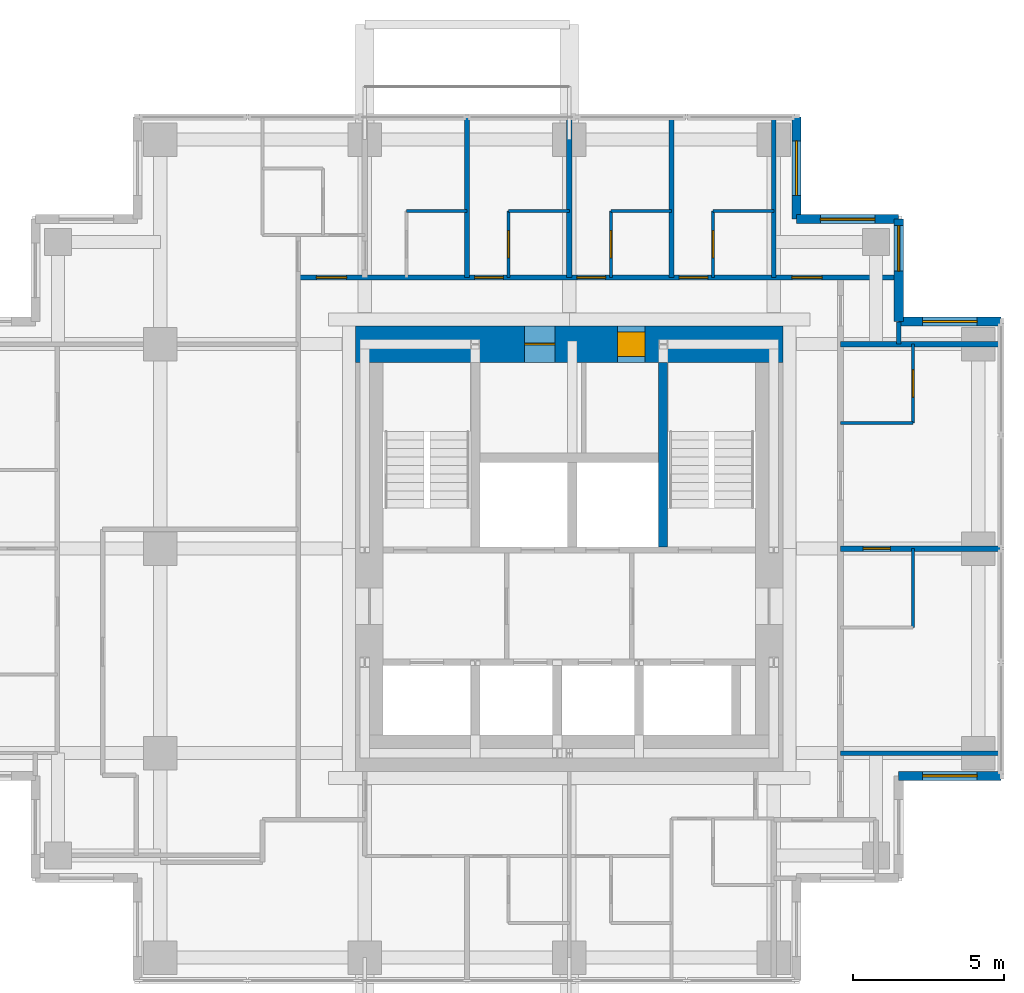
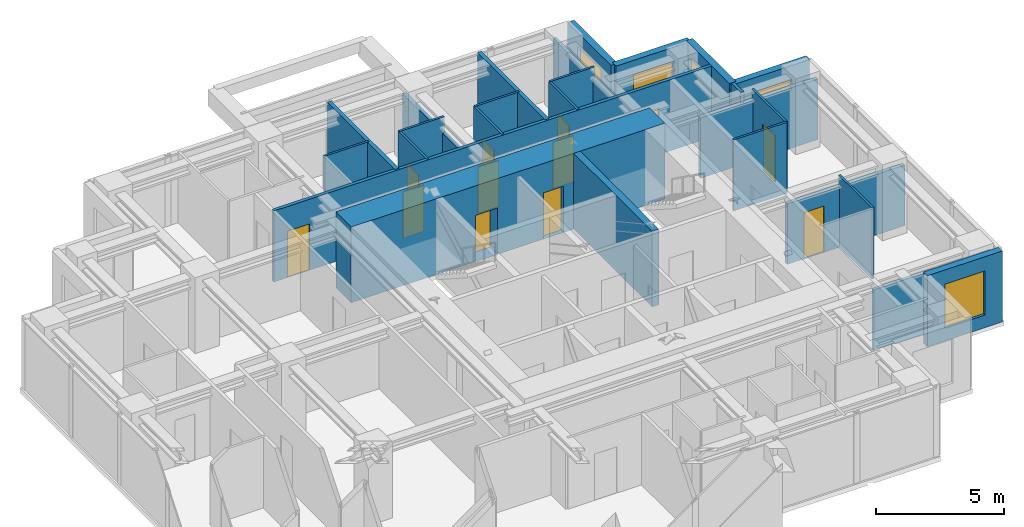
# One storey, part 6 of 8: 26 walls, 12 doors, 5 windows, 17 openings.
"""IFC4 building model written with IfcOpenShell, lengths in metres."""

from ifc_helpers import new_model, si_unit, direction, frame, frame_2d, origin, place, context, subcontext, project, spatial, rectangle, extrude, material, layer, layer_set, type_object, element, fill, save


model = new_model("IFC4")

# Units and contexts
model_context = context("Model", 3, precision=1e-05, world=origin(), true_north=direction((0.0, 1.0)))
body_context = subcontext(model_context, "Body", "Model", "MODEL_VIEW")
ifc_project = project(units=[si_unit("LENGTHUNIT", "METRE"), si_unit("AREAUNIT", "SQUARE_METRE"), si_unit("VOLUMEUNIT", "CUBIC_METRE"), si_unit("PLANEANGLEUNIT", "RADIAN"), si_unit("MASSUNIT", "GRAM", prefix="KILO")], contexts=[model_context])

# Site, building, storey
site_placement = place(None, origin())
site = spatial("IfcSite", under=ifc_project, at=site_placement, CompositionType="ELEMENT")
building_placement = place(site_placement, origin())
building = spatial("IfcBuilding", under=site, at=building_placement, Name="Nyansa Garden Tower", CompositionType="ELEMENT")
storey_placement = place(building_placement, frame((0.0, 0.0, 222.300048828125)))
storey = spatial("IfcBuildingStorey", under=building, at=storey_placement, Name="L60", CompositionType="ELEMENT", Elevation=222.300048828125)

# Walls
ifc_material_1 = material(Name="Dense blockwork, plastered both sides, 55 dB", Category="masonry")
ifc_layer_1 = layer(ifc_material_1, 0.175048828125)
ifc_layer_set_1 = layer_set([ifc_layer_1], Name="Acoustic party wall PW175")
wall_type_1 = type_object("IfcWallType", Name="Acoustic party wall PW175", PredefinedType="PARTITIONING", material=ifc_layer_set_1)
wall_1_placement = place(storey_placement, frame((16.875, 29.199951171875, 0.0), z_axis=(0.0, 0.0, 1.0), x_axis=(0.0, 1.0, 0.0)))
element("IfcWall", 1, at=wall_1_placement, inside=storey, type_object=wall_type_1, Name="Party wall", PredefinedType="PARTITIONING", context=body_context, shape_type="SweptSolid", body=[
    extrude(rectangle(XDim=5.283935546875, YDim=0.175048828125, at=frame_2d((2.64208984375, 0.0))), origin(), (0.0, 0.0, 1.0), 3.375),
])
wall_2_placement = place(storey_placement, frame((20.25, 29.199951171875, 0.0), z_axis=(0.0, 0.0, 1.0), x_axis=(0.0, 1.0, 0.0)))
element("IfcWall", 2, at=wall_2_placement, inside=storey, type_object=wall_type_1, Name="Party wall", PredefinedType="PARTITIONING", context=body_context, shape_type="SweptSolid", body=[
    extrude(rectangle(XDim=5.283935546875, YDim=0.175048828125, at=frame_2d((2.64208984375, 0.0))), origin(), (0.0, 0.0, 1.0), 2.60986328125),
])
wall_3_placement = place(storey_placement, frame((23.625, 29.199951171875, 0.0), z_axis=(0.0, 0.0, 1.0), x_axis=(0.0, 1.0, 0.0)))
element("IfcWall", 3, at=wall_3_placement, inside=storey, type_object=wall_type_1, Name="Party wall", PredefinedType="PARTITIONING", context=body_context, shape_type="SweptSolid", body=[
    extrude(rectangle(XDim=5.283935546875, YDim=0.175048828125, at=frame_2d((2.64208984375, 0.0))), origin(), (0.0, 0.0, 1.0), 3.375),
])

# Wall, opening, door
wall_4_placement = place(storey_placement, frame((29.199951171875, 20.25, 0.0), z_axis=(0.0, 0.0, 1.0), x_axis=(1.0, 0.0, 0.0)))
wall_4 = element("IfcWall", 4, at=wall_4_placement, inside=storey, type_object=wall_type_1, Name="Party wall", PredefinedType="PARTITIONING", context=body_context, shape_type="SweptSolid", body=[
    extrude(rectangle(XDim=5.283935546875, YDim=0.175048828125, at=frame_2d((2.64208984375, 0.0))), origin(), (0.0, 0.0, 1.0), 2.876953125),
])
opening_1_placement = place(wall_4_placement, frame((0.75, 0.0, 0.0)))
opening_1 = element("IfcOpeningElement", 5, at=opening_1_placement, cuts=wall_4, Name="Opening D02", PredefinedType="OPENING", context=body_context, shape_type="SweptSolid", body=[
    extrude(rectangle(XDim=0.89990234375, YDim=2.199951171875, at=frame_2d((0.449951171875, 1.10009765625))), frame((0.0, 0.097412109375, 0.0), z_axis=(0.0, -1.0, 0.0), x_axis=(1.0, 0.0, 0.0)), (0.0, 0.0, 1.0), 0.195068359375),
])
ifc_material_2 = material(Name="Timber flush door", Category="wood")
door_type_1 = type_object("IfcDoorType", Name="En-suite door D02 900x2200", OperationType="SINGLE_SWING_RIGHT", PredefinedType="DOOR", material=ifc_material_2)
door_1_placement = place(opening_1_placement, origin())
door_1 = element("IfcDoor", 6, at=door_1_placement, inside=storey, type_object=door_type_1, Name="Door L60-030", OperationType="SINGLE_SWING_RIGHT", OverallHeight=2.199951171875, OverallWidth=0.89990234375, PredefinedType="DOOR", context=body_context, shape_type="SweptSolid", body=[
    extrude(rectangle(XDim=0.89990234375, YDim=2.199951171875, at=frame_2d((0.449951171875, 1.10009765625))), frame((0.0, 0.02490234375, 0.0), z_axis=(0.0, -1.0, 0.0), x_axis=(1.0, 0.0, 0.0)), (0.0, 0.0, 1.0), 0.050048828125),
])
fill(opening_1, door_1)

# Walls
wall_5_placement = place(storey_placement, frame((29.199951171875, 27.0, 0.0), z_axis=(0.0, 0.0, 1.0), x_axis=(1.0, 0.0, 0.0)))
element("IfcWall", 7, at=wall_5_placement, inside=storey, type_object=wall_type_1, Name="Party wall", PredefinedType="PARTITIONING", context=body_context, shape_type="SweptSolid", body=[
    extrude(rectangle(XDim=5.283935546875, YDim=0.175048828125, at=frame_2d((2.64208984375, 0.0))), origin(), (0.0, 0.0, 1.0), 2.876953125),
])
ifc_material_3 = material(Name="Concrete C70/85", Category="concrete")
ifc_layer_2 = layer(ifc_material_3, 0.300048828125)
ifc_layer_set_2 = layer_set([ifc_layer_2], Name="Core inner wall CI300")
wall_type_2 = type_object("IfcWallType", Name="Core inner wall CI300", PredefinedType="SHEAR", material=ifc_layer_set_2)
wall_6_placement = place(storey_placement, frame((23.35009765625, 20.300048828125, 0.0), z_axis=(0.0, 0.0, 1.0), x_axis=(0.0, 1.0, 0.0)))
element("IfcWall", 8, at=wall_6_placement, inside=storey, type_object=wall_type_2, Name="Core inner wall L60", PredefinedType="SHEAR", context=body_context, shape_type="SweptSolid", body=[
    extrude(rectangle(XDim=6.099853515625, YDim=0.300048828125, at=frame_2d((3.0498046875, 0.0))), origin(), (0.0, 0.0, 1.0), 3.599853515625),
])

# Wall, openings, doors
ifc_material_4 = material(Name="Concrete C80/95", Category="concrete")
ifc_layer_3 = layer(ifc_material_4, 1.199951171875)
ifc_layer_set_3 = layer_set([ifc_layer_3], Name="Core wall CW1200")
wall_type_3 = type_object("IfcWallType", Name="Core wall CW1200", PredefinedType="SHEAR", material=ifc_layer_set_3)
wall_7_placement = place(storey_placement, frame((27.300048828125, 27.0, 0.0), z_axis=(0.0, 0.0, 1.0), x_axis=(-1.0, 0.0, 0.0)))
wall_7 = element("IfcWall", 9, at=wall_7_placement, inside=storey, type_object=wall_type_3, Name="Core wall N L60", PredefinedType="SHEAR", context=body_context, shape_type="SweptSolid", body=[
    extrude(rectangle(XDim=14.10009765625, YDim=1.199951171875, at=frame_2d((7.050048828125, 0.0))), origin(), (0.0, 0.0, 1.0), 3.599853515625),
])
opening_2_placement = place(wall_7_placement, frame((4.550048828125, 0.0, 0.0)))
opening_2 = element("IfcOpeningElement", 10, at=opening_2_placement, cuts=wall_7, Name="Opening D15", PredefinedType="OPENING", context=body_context, shape_type="SweptSolid", body=[
    extrude(rectangle(XDim=0.89990234375, YDim=2.199951171875, at=frame_2d((0.449951171875, 1.10009765625))), frame((0.0, 0.60986328125, 0.0), z_axis=(0.0, -1.0, 0.0), x_axis=(1.0, 0.0, 0.0)), (0.0, 0.0, 1.0), 1.219970703125),
])
opening_3_placement = place(wall_7_placement, frame((7.52490234375, 0.0, 0.0)))
opening_3 = element("IfcOpeningElement", 11, at=opening_3_placement, cuts=wall_7, Name="Opening D07", PredefinedType="OPENING", context=body_context, shape_type="SweptSolid", body=[
    extrude(rectangle(XDim=1.0, YDim=2.199951171875, at=frame_2d((0.5, 1.10009765625))), frame((0.0, 0.60986328125, 0.0), z_axis=(0.0, -1.0, 0.0), x_axis=(1.0, 0.0, 0.0)), (0.0, 0.0, 1.0), 1.219970703125),
])
ifc_material_5 = material(Name="Timber flush door, 60 minute fire resisting, self-closing", Category="wood")
door_type_2 = type_object("IfcDoorType", Name="Core room door D15 900x2200", OperationType="SINGLE_SWING_LEFT", PredefinedType="DOOR", material=ifc_material_5)
door_2_placement = place(opening_2_placement, origin())
door_2 = element("IfcDoor", 12, at=door_2_placement, inside=storey, type_object=door_type_2, Name="Core room door", OperationType="SINGLE_SWING_LEFT", OverallHeight=2.199951171875, OverallWidth=0.89990234375, PredefinedType="DOOR", context=body_context, shape_type="SweptSolid", body=[
    extrude(rectangle(XDim=0.89990234375, YDim=2.199951171875, at=frame_2d((0.449951171875, 1.10009765625))), frame((0.0, 0.39990234375, 0.0), z_axis=(0.0, -1.0, 0.0), x_axis=(1.0, 0.0, 0.0)), (0.0, 0.0, 1.0), 0.800048828125),
])
fill(opening_2, door_2)
ifc_material_6 = material(Name="Steel door, 120 minute fire resisting", Category="steel")
door_type_3 = type_object("IfcDoorType", Name="Riser door D07 1000x2200", OperationType="SINGLE_SWING_LEFT", PredefinedType="DOOR", material=ifc_material_6)
door_3_placement = place(opening_3_placement, origin())
door_3 = element("IfcDoor", 13, at=door_3_placement, inside=storey, type_object=door_type_3, Name="Riser and refuse room door", OperationType="SINGLE_SWING_LEFT", OverallHeight=2.199951171875, OverallWidth=1.0, PredefinedType="DOOR", context=body_context, shape_type="SweptSolid", body=[
    extrude(rectangle(XDim=1.0, YDim=2.199951171875, at=frame_2d((0.5, 1.10009765625))), frame((0.0, 0.02490234375, 0.0), z_axis=(0.0, -1.0, 0.0), x_axis=(1.0, 0.0, 0.0)), (0.0, 0.0, 1.0), 0.050048828125),
])
fill(opening_3, door_3)

ifc_material_7 = material(Name="Blockwork, plastered both sides", Category="masonry")
ifc_layer_4 = layer(ifc_material_7, 0.14990234375)
ifc_layer_set_4 = layer_set([ifc_layer_4], Name="Partition PW150")
wall_type_4 = type_object("IfcWallType", Name="Partition PW150", PredefinedType="PARTITIONING", material=ifc_layer_set_4)
wall_8_placement = place(storey_placement, frame((11.300048828125, 29.199951171875, 0.0), z_axis=(0.0, 0.0, 1.0), x_axis=(1.0, 0.0, 0.0)))
wall_8 = element("IfcWall", 14, at=wall_8_placement, inside=storey, type_object=wall_type_4, Name="Partition", PredefinedType="PARTITIONING", context=body_context, shape_type="SweptSolid", body=[
    extrude(rectangle(XDim=19.808837890625, YDim=0.14990234375, at=frame_2d((9.904296875, 0.0))), origin(), (0.0, 0.0, 1.0), 3.375),
])
opening_4_placement = place(wall_8_placement, frame((16.300048828125, 0.0, 0.0)))
opening_4 = element("IfcOpeningElement", 15, at=opening_4_placement, cuts=wall_8, Name="Opening D03", PredefinedType="OPENING", context=body_context, shape_type="SweptSolid", body=[
    extrude(rectangle(XDim=1.0, YDim=2.199951171875, at=frame_2d((0.5, 1.10009765625))), frame((0.0, 0.0849609375, 0.0), z_axis=(0.0, -1.0, 0.0), x_axis=(1.0, 0.0, 0.0)), (0.0, 0.0, 1.0), 0.169921875),
])
opening_5_placement = place(wall_8_placement, frame((5.824951171875, 0.0, 0.0)))
opening_5 = element("IfcOpeningElement", 16, at=opening_5_placement, cuts=wall_8, Name="Opening D14", PredefinedType="OPENING", context=body_context, shape_type="SweptSolid", body=[
    extrude(rectangle(XDim=0.949951171875, YDim=2.199951171875, at=frame_2d((0.47509765625, 1.10009765625))), frame((0.0, 0.0849609375, 0.0), z_axis=(0.0, -1.0, 0.0), x_axis=(1.0, 0.0, 0.0)), (0.0, 0.0, 1.0), 0.169921875),
])
opening_6_placement = place(wall_8_placement, frame((9.199951171875, 0.0, 0.0)))
opening_6 = element("IfcOpeningElement", 17, at=opening_6_placement, cuts=wall_8, Name="Opening D14", PredefinedType="OPENING", context=body_context, shape_type="SweptSolid", body=[
    extrude(rectangle(XDim=0.949951171875, YDim=2.199951171875, at=frame_2d((0.47509765625, 1.10009765625))), frame((0.0, 0.0849609375, 0.0), z_axis=(0.0, -1.0, 0.0), x_axis=(1.0, 0.0, 0.0)), (0.0, 0.0, 1.0), 0.169921875),
])
opening_7_placement = place(wall_8_placement, frame((12.574951171875, 0.0, 0.0)))
opening_7 = element("IfcOpeningElement", 18, at=opening_7_placement, cuts=wall_8, Name="Opening D14", PredefinedType="OPENING", context=body_context, shape_type="SweptSolid", body=[
    extrude(rectangle(XDim=0.949951171875, YDim=2.199951171875, at=frame_2d((0.47509765625, 1.10009765625))), frame((0.0, 0.0849609375, 0.0), z_axis=(0.0, -1.0, 0.0), x_axis=(1.0, 0.0, 0.0)), (0.0, 0.0, 1.0), 0.169921875),
])
opening_8_placement = place(wall_8_placement, frame((0.60009765625, 0.0, 0.0)))
opening_8 = element("IfcOpeningElement", 19, at=opening_8_placement, cuts=wall_8, Name="Opening D03", PredefinedType="OPENING", context=body_context, shape_type="SweptSolid", body=[
    extrude(rectangle(XDim=1.0, YDim=2.199951171875, at=frame_2d((0.5, 1.10009765625))), frame((0.0, 0.0849609375, 0.0), z_axis=(0.0, -1.0, 0.0), x_axis=(1.0, 0.0, 0.0)), (0.0, 0.0, 1.0), 0.169921875),
])
ifc_material_8 = material(Name="Timber flush door, 60 minute fire resisting", Category="wood")
door_type_4 = type_object("IfcDoorType", Name="Cluster entrance door D03 1000x2200", OperationType="SINGLE_SWING_LEFT", PredefinedType="DOOR", material=ifc_material_8)
door_4_placement = place(opening_4_placement, origin())
door_4 = element("IfcDoor", 20, at=door_4_placement, inside=storey, type_object=door_type_4, Name="Door L60-032", OperationType="SINGLE_SWING_LEFT", OverallHeight=2.199951171875, OverallWidth=1.0, PredefinedType="DOOR", context=body_context, shape_type="SweptSolid", body=[
    extrude(rectangle(XDim=1.0, YDim=2.199951171875, at=frame_2d((0.5, 1.10009765625))), frame((0.0, 0.02490234375, 0.0), z_axis=(0.0, -1.0, 0.0), x_axis=(1.0, 0.0, 0.0)), (0.0, 0.0, 1.0), 0.050048828125),
])
fill(opening_4, door_4)
door_5_placement = place(opening_8_placement, origin())
door_5 = element("IfcDoor", 21, at=door_5_placement, inside=storey, type_object=door_type_4, Name="Door L60-043", OperationType="SINGLE_SWING_LEFT", OverallHeight=2.199951171875, OverallWidth=1.0, PredefinedType="DOOR", context=body_context, shape_type="SweptSolid", body=[
    extrude(rectangle(XDim=1.0, YDim=2.199951171875, at=frame_2d((0.5, 1.10009765625))), frame((0.0, 0.02490234375, 0.0), z_axis=(0.0, -1.0, 0.0), x_axis=(1.0, 0.0, 0.0)), (0.0, 0.0, 1.0), 0.050048828125),
])
fill(opening_8, door_5)
ifc_material_9 = material(Name="Timber flush door, 60 minute fire resisting, self-closing", Category="wood")
door_type_5 = type_object("IfcDoorType", Name="Studio entrance door D14 950x2200", OperationType="SINGLE_SWING_LEFT", PredefinedType="DOOR", material=ifc_material_9)
door_6_placement = place(opening_5_placement, origin())
door_6 = element("IfcDoor", 22, at=door_6_placement, inside=storey, type_object=door_type_5, Name="Door L60-037", OperationType="SINGLE_SWING_LEFT", OverallHeight=2.199951171875, OverallWidth=0.949951171875, PredefinedType="DOOR", context=body_context, shape_type="SweptSolid", body=[
    extrude(rectangle(XDim=0.949951171875, YDim=2.199951171875, at=frame_2d((0.47509765625, 1.10009765625))), frame((0.0, 0.02490234375, 0.0), z_axis=(0.0, -1.0, 0.0), x_axis=(1.0, 0.0, 0.0)), (0.0, 0.0, 1.0), 0.050048828125),
])
fill(opening_5, door_6)
door_7_placement = place(opening_6_placement, origin())
door_7 = element("IfcDoor", 23, at=door_7_placement, inside=storey, type_object=door_type_5, Name="Door L60-039", OperationType="SINGLE_SWING_LEFT", OverallHeight=2.199951171875, OverallWidth=0.949951171875, PredefinedType="DOOR", context=body_context, shape_type="SweptSolid", body=[
    extrude(rectangle(XDim=0.949951171875, YDim=2.199951171875, at=frame_2d((0.47509765625, 1.10009765625))), frame((0.0, 0.02490234375, 0.0), z_axis=(0.0, -1.0, 0.0), x_axis=(1.0, 0.0, 0.0)), (0.0, 0.0, 1.0), 0.050048828125),
])
fill(opening_6, door_7)
door_8_placement = place(opening_7_placement, origin())
door_8 = element("IfcDoor", 24, at=door_8_placement, inside=storey, type_object=door_type_5, Name="Door L60-041", OperationType="SINGLE_SWING_LEFT", OverallHeight=2.199951171875, OverallWidth=0.949951171875, PredefinedType="DOOR", context=body_context, shape_type="SweptSolid", body=[
    extrude(rectangle(XDim=0.949951171875, YDim=2.199951171875, at=frame_2d((0.47509765625, 1.10009765625))), frame((0.0, 0.02490234375, 0.0), z_axis=(0.0, -1.0, 0.0), x_axis=(1.0, 0.0, 0.0)), (0.0, 0.0, 1.0), 0.050048828125),
])
fill(opening_7, door_8)

# Walls
for number, where, z_axis, x_axis, name in (
    (25, (27.0, 29.199951171875, 0.0), (0.0, 0.0, 1.0), (0.0, 1.0, 0.0), "Partition"),
    (26, (29.199951171875, 13.5, 0.0), (0.0, 0.0, 1.0), (1.0, 0.0, 0.0), "Partition"),
):
    element("IfcWall", number, at=place(storey_placement, frame(where, z_axis=z_axis, x_axis=x_axis)), inside=storey, type_object=wall_type_4, Name=name, PredefinedType="PARTITIONING", context=body_context, shape_type="SweptSolid", body=[
        extrude(rectangle(XDim=5.283935546875, YDim=0.14990234375, at=frame_2d((2.64208984375, 0.0))), origin(), (0.0, 0.0, 1.0), 2.876953125),
    ])
wall_9_placement = place(storey_placement, frame((31.125, 27.0, 0.0), z_axis=(0.0, 0.0, 1.0), x_axis=(0.0, 1.0, 0.0)))
element("IfcWall", 27, at=wall_9_placement, inside=storey, type_object=wall_type_4, Name="Partition", PredefinedType="PARTITIONING", context=body_context, shape_type="SweptSolid", body=[
    extrude(rectangle(XDim=0.73388671875, YDim=0.14990234375, at=frame_2d((0.366943359375, 0.0))), origin(), (0.0, 0.0, 1.0), 3.375),
])

# Wall, opening, window
ifc_material_10 = material(Name="Turquoise glazed tile on concrete blockwork", Category="masonry")
ifc_layer_5 = layer(ifc_material_10, 0.300048828125)
ifc_layer_set_5 = layer_set([ifc_layer_5], Name="Tiled corner wall TW300")
wall_type_5 = type_object("IfcWallType", Name="Tiled corner wall TW300", PredefinedType="SOLIDWALL", material=ifc_layer_set_5)
wall_10_placement = place(storey_placement, frame((34.5, 27.75, 0.0), z_axis=(0.0, 0.0, 1.0), x_axis=(-1.0, 0.0, 0.0)))
wall_10 = element("IfcWall", 28, at=wall_10_placement, inside=storey, type_object=wall_type_5, Name="Tiled corner wall L60", PredefinedType="SOLIDWALL", context=body_context, shape_type="SweptSolid", body=[
    extrude(rectangle(XDim=3.375, YDim=0.300048828125, at=frame_2d((1.6875, 0.0))), origin(), (0.0, 0.0, 1.0), 3.375),
])
opening_9_placement = place(wall_10_placement, frame((0.78759765625, 0.0, 0.60009765625)))
opening_9 = element("IfcOpeningElement", 29, at=opening_9_placement, cuts=wall_10, Name="Opening W2", PredefinedType="OPENING", context=body_context, shape_type="SweptSolid", body=[
    extrude(rectangle(XDim=1.800048828125, YDim=2.10009765625, at=frame_2d((0.89990234375, 1.050048828125))), frame((0.0, 0.159912109375, 0.0), z_axis=(0.0, -1.0, 0.0), x_axis=(1.0, 0.0, 0.0)), (0.0, 0.0, 1.0), 0.320068359375),
])
ifc_material_11 = material(Name="Black aluminium frame, dark tinted double glazing", Category="aluminium")
window_type_1 = type_object("IfcWindowType", Name="Window W2 1800x2100", PartitioningType="SINGLE_PANEL", PredefinedType="WINDOW", material=ifc_material_11)
window_1_placement = place(opening_9_placement, origin())
window_1 = element("IfcWindow", 30, at=window_1_placement, inside=storey, type_object=window_type_1, Name="Corner window L60", OverallHeight=2.10009765625, OverallWidth=1.800048828125, PartitioningType="SINGLE_PANEL", PredefinedType="WINDOW", context=body_context, shape_type="SweptSolid", body=[
    extrude(rectangle(XDim=1.800048828125, YDim=2.10009765625, at=frame_2d((0.89990234375, 1.050048828125))), frame((0.0, 0.030029296875, 0.0), z_axis=(0.0, -1.0, 0.0), x_axis=(1.0, 0.0, 0.0)), (0.0, 0.0, 1.0), 0.06005859375),
])
fill(opening_9, window_1)

wall_11_placement = place(storey_placement, frame((31.125, 27.75, 0.0), z_axis=(0.0, 0.0, 1.0), x_axis=(0.0, 1.0, 0.0)))
wall_11 = element("IfcWall", 31, at=wall_11_placement, inside=storey, type_object=wall_type_5, Name="Tiled corner wall L60", PredefinedType="SOLIDWALL", context=body_context, shape_type="SweptSolid", body=[
    extrude(rectangle(XDim=3.375, YDim=0.300048828125, at=frame_2d((1.6875, 0.0))), origin(), (0.0, 0.0, 1.0), 3.375),
])
opening_10_placement = place(wall_11_placement, frame((1.66259765625, 0.0, 0.89990234375)))
opening_10 = element("IfcOpeningElement", 32, at=opening_10_placement, cuts=wall_11, Name="Opening W1", PredefinedType="OPENING", context=body_context, shape_type="SweptSolid", body=[
    extrude(rectangle(XDim=1.5, YDim=1.800048828125, at=frame_2d((0.75, 0.89990234375))), frame((0.0, 0.159912109375, 0.0), z_axis=(0.0, -1.0, 0.0), x_axis=(1.0, 0.0, 0.0)), (0.0, 0.0, 1.0), 0.320068359375),
])
ifc_material_12 = material(Name="Black aluminium frame, dark tinted double glazing", Category="aluminium")
window_type_2 = type_object("IfcWindowType", Name="Window W1 1500x1800", PartitioningType="SINGLE_PANEL", PredefinedType="WINDOW", material=ifc_material_12)
window_2_placement = place(opening_10_placement, origin())
window_2 = element("IfcWindow", 33, at=window_2_placement, inside=storey, type_object=window_type_2, Name="Corner window L60", OverallHeight=1.800048828125, OverallWidth=1.5, PartitioningType="SINGLE_PANEL", PredefinedType="WINDOW", context=body_context, shape_type="SweptSolid", body=[
    extrude(rectangle(XDim=1.5, YDim=1.800048828125, at=frame_2d((0.75, 0.89990234375))), frame((0.0, 0.030029296875, 0.0), z_axis=(0.0, -1.0, 0.0), x_axis=(1.0, 0.0, 0.0)), (0.0, 0.0, 1.0), 0.06005859375),
])
fill(opening_10, window_2)

wall_12_placement = place(storey_placement, frame((31.125, 31.125, 0.0), z_axis=(0.0, 0.0, 1.0), x_axis=(-1.0, 0.0, 0.0)))
wall_12 = element("IfcWall", 34, at=wall_12_placement, inside=storey, type_object=wall_type_5, Name="Tiled corner wall L60", PredefinedType="SOLIDWALL", context=body_context, shape_type="SweptSolid", body=[
    extrude(rectangle(XDim=3.375, YDim=0.300048828125, at=frame_2d((1.6875, 0.0))), origin(), (0.0, 0.0, 1.0), 3.375),
])
opening_11_placement = place(wall_12_placement, frame((0.78759765625, 0.0, 0.60009765625)))
opening_11 = element("IfcOpeningElement", 35, at=opening_11_placement, cuts=wall_12, Name="Opening W2", PredefinedType="OPENING", context=body_context, shape_type="SweptSolid", body=[
    extrude(rectangle(XDim=1.800048828125, YDim=2.10009765625, at=frame_2d((0.89990234375, 1.050048828125))), frame((0.0, 0.159912109375, 0.0), z_axis=(0.0, -1.0, 0.0), x_axis=(1.0, 0.0, 0.0)), (0.0, 0.0, 1.0), 0.320068359375),
])
window_3_placement = place(opening_11_placement, origin())
window_3 = element("IfcWindow", 36, at=window_3_placement, inside=storey, type_object=window_type_1, Name="Corner window L60", OverallHeight=2.10009765625, OverallWidth=1.800048828125, PartitioningType="SINGLE_PANEL", PredefinedType="WINDOW", context=body_context, shape_type="SweptSolid", body=[
    extrude(rectangle(XDim=1.800048828125, YDim=2.10009765625, at=frame_2d((0.89990234375, 1.050048828125))), frame((0.0, 0.030029296875, 0.0), z_axis=(0.0, -1.0, 0.0), x_axis=(1.0, 0.0, 0.0)), (0.0, 0.0, 1.0), 0.06005859375),
])
fill(opening_11, window_3)

wall_13_placement = place(storey_placement, frame((27.75, 31.125, 0.0), z_axis=(0.0, 0.0, 1.0), x_axis=(0.0, 1.0, 0.0)))
wall_13 = element("IfcWall", 37, at=wall_13_placement, inside=storey, type_object=wall_type_5, Name="Tiled corner wall L60", PredefinedType="SOLIDWALL", context=body_context, shape_type="SweptSolid", body=[
    extrude(rectangle(XDim=3.375, YDim=0.300048828125, at=frame_2d((1.6875, 0.0))), origin(), (0.0, 0.0, 1.0), 3.375),
])
opening_12_placement = place(wall_13_placement, frame((0.78759765625, 0.0, 0.60009765625)))
opening_12 = element("IfcOpeningElement", 38, at=opening_12_placement, cuts=wall_13, Name="Opening W2", PredefinedType="OPENING", context=body_context, shape_type="SweptSolid", body=[
    extrude(rectangle(XDim=1.800048828125, YDim=2.10009765625, at=frame_2d((0.89990234375, 1.050048828125))), frame((0.0, 0.159912109375, 0.0), z_axis=(0.0, -1.0, 0.0), x_axis=(1.0, 0.0, 0.0)), (0.0, 0.0, 1.0), 0.320068359375),
])
window_4_placement = place(opening_12_placement, origin())
window_4 = element("IfcWindow", 39, at=window_4_placement, inside=storey, type_object=window_type_1, Name="Corner window L60", OverallHeight=2.10009765625, OverallWidth=1.800048828125, PartitioningType="SINGLE_PANEL", PredefinedType="WINDOW", context=body_context, shape_type="SweptSolid", body=[
    extrude(rectangle(XDim=1.800048828125, YDim=2.10009765625, at=frame_2d((0.89990234375, 1.050048828125))), frame((0.0, 0.030029296875, 0.0), z_axis=(0.0, -1.0, 0.0), x_axis=(1.0, 0.0, 0.0)), (0.0, 0.0, 1.0), 0.06005859375),
])
fill(opening_12, window_4)

wall_14_placement = place(storey_placement, frame((31.125, 12.75, 0.0), z_axis=(0.0, 0.0, 1.0), x_axis=(1.0, 0.0, 0.0)))
wall_14 = element("IfcWall", 40, at=wall_14_placement, inside=storey, type_object=wall_type_5, Name="Tiled corner wall L60", PredefinedType="SOLIDWALL", context=body_context, shape_type="SweptSolid", body=[
    extrude(rectangle(XDim=3.375, YDim=0.300048828125, at=frame_2d((1.6875, 0.0))), origin(), (0.0, 0.0, 1.0), 3.375),
])
opening_13_placement = place(wall_14_placement, frame((0.78759765625, 0.0, 0.60009765625)))
opening_13 = element("IfcOpeningElement", 41, at=opening_13_placement, cuts=wall_14, Name="Opening W2", PredefinedType="OPENING", context=body_context, shape_type="SweptSolid", body=[
    extrude(rectangle(XDim=1.800048828125, YDim=2.10009765625, at=frame_2d((0.89990234375, 1.050048828125))), frame((0.0, 0.159912109375, 0.0), z_axis=(0.0, -1.0, 0.0), x_axis=(1.0, 0.0, 0.0)), (0.0, 0.0, 1.0), 0.320068359375),
])
window_5_placement = place(opening_13_placement, origin())
window_5 = element("IfcWindow", 42, at=window_5_placement, inside=storey, type_object=window_type_1, Name="Corner window L60", OverallHeight=2.10009765625, OverallWidth=1.800048828125, PartitioningType="SINGLE_PANEL", PredefinedType="WINDOW", context=body_context, shape_type="SweptSolid", body=[
    extrude(rectangle(XDim=1.800048828125, YDim=2.10009765625, at=frame_2d((0.89990234375, 1.050048828125))), frame((0.0, 0.030029296875, 0.0), z_axis=(0.0, -1.0, 0.0), x_axis=(1.0, 0.0, 0.0)), (0.0, 0.0, 1.0), 0.06005859375),
])
fill(opening_13, window_5)

# Wall
ifc_material_13 = material(Name="Moisture resistant board on steel studs, tiled", Category="steel")
ifc_layer_6 = layer(ifc_material_13, 0.10009765625)
ifc_layer_set_6 = layer_set([ifc_layer_6], Name="Wet wall PW100")
wall_type_6 = type_object("IfcWallType", Name="Wet wall PW100", PredefinedType="PARTITIONING", material=ifc_layer_set_6)
wall_15_placement = place(storey_placement, frame((14.875, 31.39990234375, 0.0), z_axis=(0.0, 0.0, 1.0), x_axis=(1.0, 0.0, 0.0)))
element("IfcWall", 43, at=wall_15_placement, inside=storey, type_object=wall_type_6, Name="Wet wall", PredefinedType="PARTITIONING", context=body_context, shape_type="SweptSolid", body=[
    extrude(rectangle(XDim=2.0, YDim=0.10009765625, at=frame_2d((1.0, 0.0))), origin(), (0.0, 0.0, 1.0), 3.375),
])

# Wall, opening, door
wall_16_placement = place(storey_placement, frame((18.25, 29.199951171875, 0.0), z_axis=(0.0, 0.0, 1.0), x_axis=(0.0, 1.0, 0.0)))
wall_16 = element("IfcWall", 44, at=wall_16_placement, inside=storey, type_object=wall_type_6, Name="Wet wall", PredefinedType="PARTITIONING", context=body_context, shape_type="SweptSolid", body=[
    extrude(rectangle(XDim=2.199951171875, YDim=0.10009765625, at=frame_2d((1.10009765625, 0.0))), origin(), (0.0, 0.0, 1.0), 3.375),
])
opening_14_placement = place(wall_16_placement, frame((0.64990234375, 0.0, 0.0)))
opening_14 = element("IfcOpeningElement", 45, at=opening_14_placement, cuts=wall_16, Name="Opening D02", PredefinedType="OPENING", context=body_context, shape_type="SweptSolid", body=[
    extrude(rectangle(XDim=0.89990234375, YDim=2.199951171875, at=frame_2d((0.449951171875, 1.10009765625))), frame((0.0, 0.06005859375, 0.0), z_axis=(0.0, -1.0, 0.0), x_axis=(1.0, 0.0, 0.0)), (0.0, 0.0, 1.0), 0.1201171875),
])
door_9_placement = place(opening_14_placement, origin())
door_9 = element("IfcDoor", 46, at=door_9_placement, inside=storey, type_object=door_type_1, Name="Door L60-038", OperationType="SINGLE_SWING_RIGHT", OverallHeight=2.199951171875, OverallWidth=0.89990234375, PredefinedType="DOOR", context=body_context, shape_type="SweptSolid", body=[
    extrude(rectangle(XDim=0.89990234375, YDim=2.199951171875, at=frame_2d((0.449951171875, 1.10009765625))), frame((0.0, 0.02490234375, 0.0), z_axis=(0.0, -1.0, 0.0), x_axis=(1.0, 0.0, 0.0)), (0.0, 0.0, 1.0), 0.050048828125),
])
fill(opening_14, door_9)

# Wall
wall_17_placement = place(storey_placement, frame((18.25, 31.39990234375, 0.0), z_axis=(0.0, 0.0, 1.0), x_axis=(1.0, 0.0, 0.0)))
element("IfcWall", 47, at=wall_17_placement, inside=storey, type_object=wall_type_6, Name="Wet wall", PredefinedType="PARTITIONING", context=body_context, shape_type="SweptSolid", body=[
    extrude(rectangle(XDim=2.0, YDim=0.10009765625, at=frame_2d((1.0, 0.0))), origin(), (0.0, 0.0, 1.0), 3.375),
])

# Wall, opening, door
wall_18_placement = place(storey_placement, frame((21.625, 29.199951171875, 0.0), z_axis=(0.0, 0.0, 1.0), x_axis=(0.0, 1.0, 0.0)))
wall_18 = element("IfcWall", 48, at=wall_18_placement, inside=storey, type_object=wall_type_6, Name="Wet wall", PredefinedType="PARTITIONING", context=body_context, shape_type="SweptSolid", body=[
    extrude(rectangle(XDim=2.199951171875, YDim=0.10009765625, at=frame_2d((1.10009765625, 0.0))), origin(), (0.0, 0.0, 1.0), 3.375),
])
opening_15_placement = place(wall_18_placement, frame((0.64990234375, 0.0, 0.0)))
opening_15 = element("IfcOpeningElement", 49, at=opening_15_placement, cuts=wall_18, Name="Opening D02", PredefinedType="OPENING", context=body_context, shape_type="SweptSolid", body=[
    extrude(rectangle(XDim=0.89990234375, YDim=2.199951171875, at=frame_2d((0.449951171875, 1.10009765625))), frame((0.0, 0.06005859375, 0.0), z_axis=(0.0, -1.0, 0.0), x_axis=(1.0, 0.0, 0.0)), (0.0, 0.0, 1.0), 0.1201171875),
])
door_10_placement = place(opening_15_placement, origin())
door_10 = element("IfcDoor", 50, at=door_10_placement, inside=storey, type_object=door_type_1, Name="Door L60-040", OperationType="SINGLE_SWING_RIGHT", OverallHeight=2.199951171875, OverallWidth=0.89990234375, PredefinedType="DOOR", context=body_context, shape_type="SweptSolid", body=[
    extrude(rectangle(XDim=0.89990234375, YDim=2.199951171875, at=frame_2d((0.449951171875, 1.10009765625))), frame((0.0, 0.02490234375, 0.0), z_axis=(0.0, -1.0, 0.0), x_axis=(1.0, 0.0, 0.0)), (0.0, 0.0, 1.0), 0.050048828125),
])
fill(opening_15, door_10)

# Wall
wall_19_placement = place(storey_placement, frame((21.625, 31.39990234375, 0.0), z_axis=(0.0, 0.0, 1.0), x_axis=(1.0, 0.0, 0.0)))
element("IfcWall", 51, at=wall_19_placement, inside=storey, type_object=wall_type_6, Name="Wet wall", PredefinedType="PARTITIONING", context=body_context, shape_type="SweptSolid", body=[
    extrude(rectangle(XDim=2.0, YDim=0.10009765625, at=frame_2d((1.0, 0.0))), origin(), (0.0, 0.0, 1.0), 3.375),
])

# Wall, opening, door
wall_20_placement = place(storey_placement, frame((25.0, 29.199951171875, 0.0), z_axis=(0.0, 0.0, 1.0), x_axis=(0.0, 1.0, 0.0)))
wall_20 = element("IfcWall", 52, at=wall_20_placement, inside=storey, type_object=wall_type_6, Name="Wet wall", PredefinedType="PARTITIONING", context=body_context, shape_type="SweptSolid", body=[
    extrude(rectangle(XDim=2.199951171875, YDim=0.10009765625, at=frame_2d((1.10009765625, 0.0))), origin(), (0.0, 0.0, 1.0), 3.375),
])
opening_16_placement = place(wall_20_placement, frame((0.64990234375, 0.0, 0.0)))
opening_16 = element("IfcOpeningElement", 53, at=opening_16_placement, cuts=wall_20, Name="Opening D02", PredefinedType="OPENING", context=body_context, shape_type="SweptSolid", body=[
    extrude(rectangle(XDim=0.89990234375, YDim=2.199951171875, at=frame_2d((0.449951171875, 1.10009765625))), frame((0.0, 0.06005859375, 0.0), z_axis=(0.0, -1.0, 0.0), x_axis=(1.0, 0.0, 0.0)), (0.0, 0.0, 1.0), 0.1201171875),
])
door_11_placement = place(opening_16_placement, origin())
door_11 = element("IfcDoor", 54, at=door_11_placement, inside=storey, type_object=door_type_1, Name="Door L60-042", OperationType="SINGLE_SWING_RIGHT", OverallHeight=2.199951171875, OverallWidth=0.89990234375, PredefinedType="DOOR", context=body_context, shape_type="SweptSolid", body=[
    extrude(rectangle(XDim=0.89990234375, YDim=2.199951171875, at=frame_2d((0.449951171875, 1.10009765625))), frame((0.0, 0.02490234375, 0.0), z_axis=(0.0, -1.0, 0.0), x_axis=(1.0, 0.0, 0.0)), (0.0, 0.0, 1.0), 0.050048828125),
])
fill(opening_16, door_11)

# Walls
wall_21_placement = place(storey_placement, frame((25.0, 31.39990234375, 0.0), z_axis=(0.0, 0.0, 1.0), x_axis=(1.0, 0.0, 0.0)))
element("IfcWall", 55, at=wall_21_placement, inside=storey, type_object=wall_type_6, Name="Wet wall", PredefinedType="PARTITIONING", context=body_context, shape_type="SweptSolid", body=[
    extrude(rectangle(XDim=2.0, YDim=0.10009765625, at=frame_2d((1.0, 0.0))), origin(), (0.0, 0.0, 1.0), 3.375),
])
wall_22_placement = place(storey_placement, frame((29.199951171875, 24.39990234375, 0.0), z_axis=(0.0, 0.0, 1.0), x_axis=(1.0, 0.0, 0.0)))
element("IfcWall", 56, at=wall_22_placement, inside=storey, type_object=wall_type_6, Name="Wet wall", PredefinedType="PARTITIONING", context=body_context, shape_type="SweptSolid", body=[
    extrude(rectangle(XDim=2.400146484375, YDim=0.10009765625, at=frame_2d((1.2001953125, 0.0))), origin(), (0.0, 0.0, 1.0), 3.375),
])
wall_23_placement = place(storey_placement, frame((31.60009765625, 17.64990234375, 0.0), z_axis=(0.0, 0.0, 1.0), x_axis=(0.0, 1.0, 0.0)))
element("IfcWall", 57, at=wall_23_placement, inside=storey, type_object=wall_type_6, Name="Wet wall", PredefinedType="PARTITIONING", context=body_context, shape_type="SweptSolid", body=[
    extrude(rectangle(XDim=2.60009765625, YDim=0.10009765625, at=frame_2d((1.300048828125, 0.0))), origin(), (0.0, 0.0, 1.0), 3.375),
])

# Wall, opening, door
wall_24_placement = place(storey_placement, frame((31.60009765625, 24.39990234375, 0.0), z_axis=(0.0, 0.0, 1.0), x_axis=(0.0, 1.0, 0.0)))
wall_24 = element("IfcWall", 58, at=wall_24_placement, inside=storey, type_object=wall_type_6, Name="Wet wall", PredefinedType="PARTITIONING", context=body_context, shape_type="SweptSolid", body=[
    extrude(rectangle(XDim=2.60009765625, YDim=0.10009765625, at=frame_2d((1.300048828125, 0.0))), origin(), (0.0, 0.0, 1.0), 3.375),
])
opening_17_placement = place(wall_24_placement, frame((0.85009765625, 0.0, 0.0)))
opening_17 = element("IfcOpeningElement", 59, at=opening_17_placement, cuts=wall_24, Name="Opening D02", PredefinedType="OPENING", context=body_context, shape_type="SweptSolid", body=[
    extrude(rectangle(XDim=0.89990234375, YDim=2.199951171875, at=frame_2d((0.449951171875, 1.10009765625))), frame((0.0, 0.06005859375, 0.0), z_axis=(0.0, -1.0, 0.0), x_axis=(1.0, 0.0, 0.0)), (0.0, 0.0, 1.0), 0.1201171875),
])
door_12_placement = place(opening_17_placement, origin())
door_12 = element("IfcDoor", 60, at=door_12_placement, inside=storey, type_object=door_type_1, Name="Door L60-028", OperationType="SINGLE_SWING_RIGHT", OverallHeight=2.199951171875, OverallWidth=0.89990234375, PredefinedType="DOOR", context=body_context, shape_type="SweptSolid", body=[
    extrude(rectangle(XDim=0.89990234375, YDim=2.199951171875, at=frame_2d((0.449951171875, 1.10009765625))), frame((0.0, 0.02490234375, 0.0), z_axis=(0.0, -1.0, 0.0), x_axis=(1.0, 0.0, 0.0)), (0.0, 0.0, 1.0), 0.050048828125),
])
fill(opening_17, door_12)

save(model, "model.ifc")
